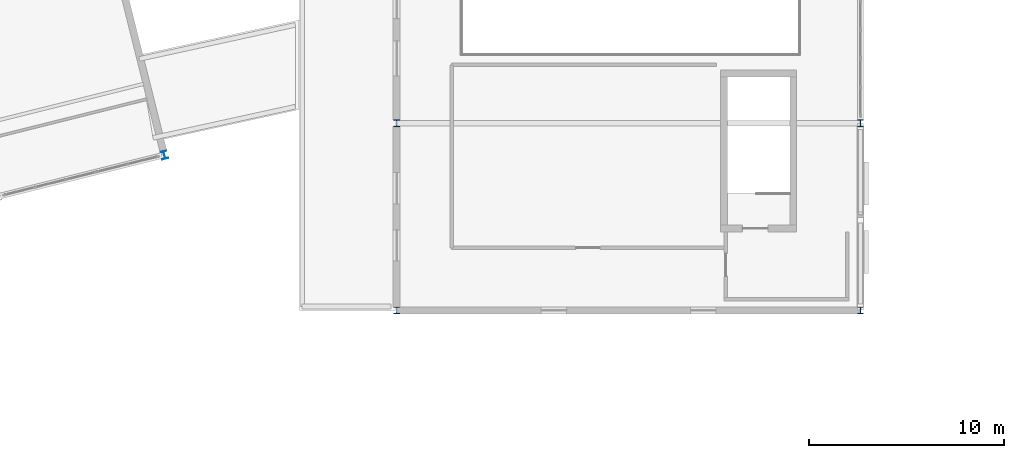
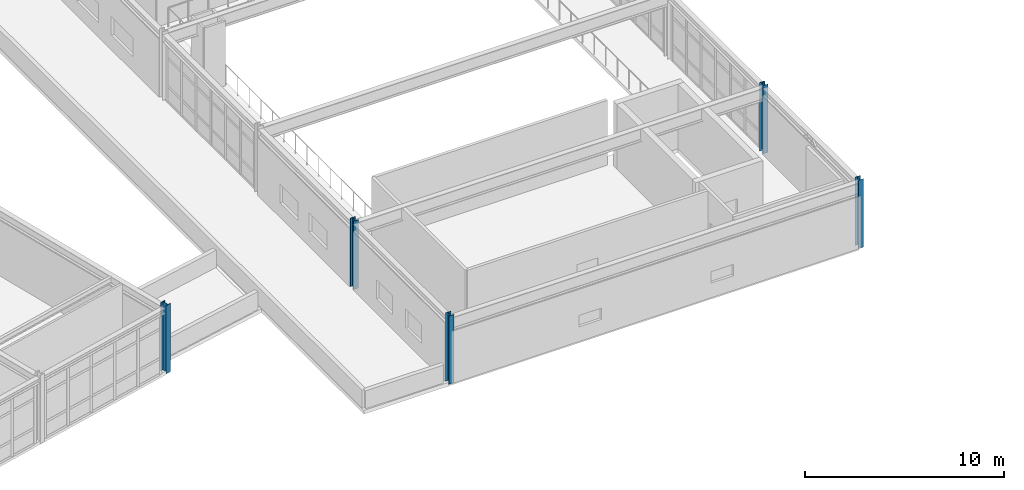
# One storey, part 3 of 76: 5 columns.
"""IFC4 building model written with IfcOpenShell, lengths in metres."""

from ifc_helpers import new_model, si_unit, direction, frame, origin, origin_2d, place, context, subcontext, project, spatial, i_section, extrude, material, material_profile, profile_set, type_object, element, save


model = new_model("IFC4")

# Units and contexts
model_context = context("Model", 3, precision=1e-05, world=origin(), true_north=direction((0.0, 1.0)))
body_context = subcontext(model_context, "Body", "Model", "MODEL_VIEW")
ifc_project = project(units=[si_unit("LENGTHUNIT", "METRE"), si_unit("AREAUNIT", "SQUARE_METRE"), si_unit("VOLUMEUNIT", "CUBIC_METRE"), si_unit("PLANEANGLEUNIT", "RADIAN"), si_unit("MASSUNIT", "GRAM", prefix="KILO")], contexts=[model_context])

# Site, building, storey
site_placement = place(None, origin())
site = spatial("IfcSite", under=ifc_project, at=site_placement, CompositionType="ELEMENT")
building_placement = place(site_placement, origin())
building = spatial("IfcBuilding", under=site, at=building_placement, Name="Nordkorset Police Headquarters", CompositionType="ELEMENT")
storey_placement = place(building_placement, frame((0.0, 0.0, 13.64990234375)))
storey = spatial("IfcBuildingStorey", under=building, at=storey_placement, Name="L03", CompositionType="ELEMENT", Elevation=13.64990234375)

# Columns
ifc_material_1 = material(Name="Steel S355J2", Category="steel")
ifc_material_profile_1 = material_profile(ifc_material_1, i_section(OverallWidth=0.300048828125, OverallDepth=0.340087890625, WebThickness=0.011962890625, FlangeThickness=0.021484375, FilletRadius=0.027099609375, at=origin_2d()), Name="HEB 340")
ifc_profile_set_1 = profile_set([ifc_material_profile_1], Name="Steel S355J2")
column_type_1 = type_object("IfcColumnType", Name="Col_HEB_340", PredefinedType="COLUMN", material=ifc_profile_set_1)
for number, where, z_axis, x_axis, name in (
    (1, (91.39990234375, 48.0, 0.0), (0.0, 0.0, 1.0), (1.0, 0.0, 0.0), "Structural Column V5_X1_0 L03"),
    (2, (115.199951171875, 48.0, 0.0), (0.0, 0.0, 1.0), (1.0, 0.0, 0.0), "Structural Column V5_X2_0 L03"),
    (3, (91.39990234375, 57.60009765625, 0.0), (0.0, 0.0, 1.0), (1.0, 0.0, 0.0), "Structural Column V5_X1_1 L03"),
    (4, (115.199951171875, 57.60009765625, 0.0), (0.0, 0.0, 1.0), (1.0, 0.0, 0.0), "Structural Column V5_X2_1 L03"),
):
    element("IfcColumn", number, at=place(storey_placement, frame(where, z_axis=z_axis, x_axis=x_axis)), inside=storey, type_object=column_type_1, Name=name, PredefinedType="COLUMN", context=body_context, shape_type="SweptSolid", body=[
        extrude(i_section(OverallWidth=0.300048828125, OverallDepth=0.340087890625, WebThickness=0.011962890625, FlangeThickness=0.021484375, FilletRadius=0.027099609375, at=origin_2d()), origin(), (0.0, 0.0, 1.0), 4.2001953125),
    ])
ifc_material_2 = material(Name="Steel S355J2", Category="steel")
ifc_material_profile_2 = material_profile(ifc_material_2, i_section(OverallWidth=0.300048828125, OverallDepth=0.39990234375, WebThickness=0.013427734375, FlangeThickness=0.02392578125, FilletRadius=0.027099609375, at=origin_2d()), Name="HEB 400")
ifc_profile_set_2 = profile_set([ifc_material_profile_2], Name="Steel S355J2")
column_type_2 = type_object("IfcColumnType", Name="Col_HEB_400", PredefinedType="COLUMN", material=ifc_profile_set_2)
column_placement = place(storey_placement, frame((79.480224609375, 55.969970703125, 0.0), z_axis=(0.0, 0.0, 1.0), x_axis=(0.970142500145, 0.242535625038, 0.0)))
element("IfcColumn", 5, at=column_placement, inside=storey, type_object=column_type_2, Name="Structural Column V4_U6_V0 L03", PredefinedType="COLUMN", context=body_context, shape_type="SweptSolid", body=[
    extrude(i_section(OverallWidth=0.300048828125, OverallDepth=0.39990234375, WebThickness=0.013427734375, FlangeThickness=0.02392578125, FilletRadius=0.027099609375, at=origin_2d()), origin(), (0.0, 0.0, 1.0), 4.2001953125),
])

save(model, "model.ifc")
